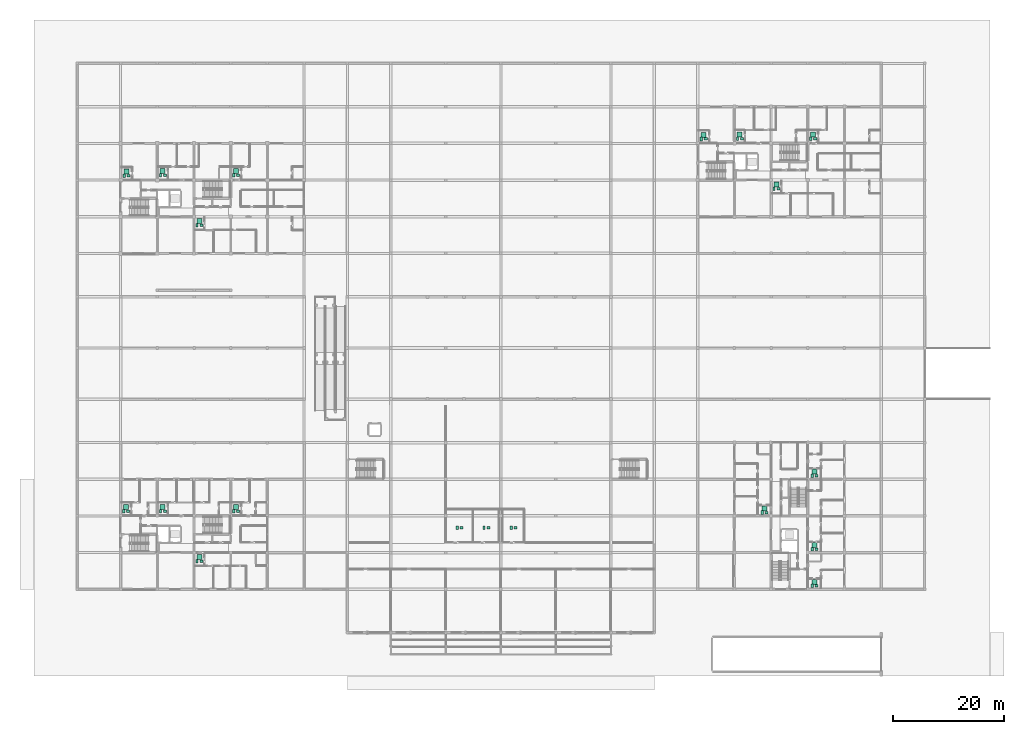
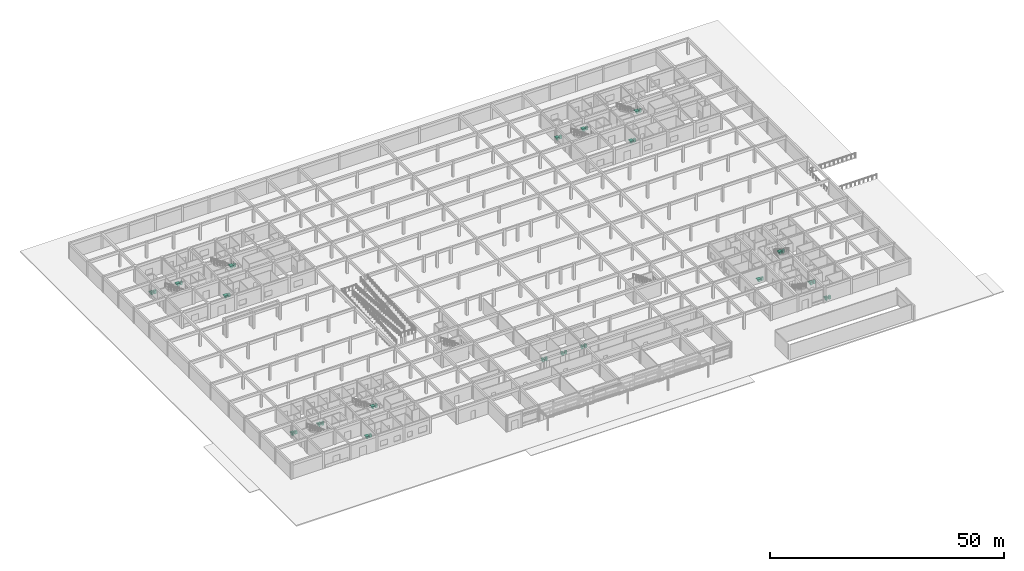
# One storey, part 74 of 75: 54 sanitary terminals.
"""IFC4 building model written with IfcOpenShell, lengths in metres."""

from ifc_helpers import new_model, si_unit, direction, frame, origin, origin_2d, place, context, subcontext, project, spatial, rectangle, extrude, material, type_object, element, save


model = new_model("IFC4")

# Units and contexts
model_context = context("Model", 3, precision=1e-05, world=origin(), true_north=direction((0.0, 1.0)))
body_context = subcontext(model_context, "Body", "Model", "MODEL_VIEW")
ifc_project = project(units=[si_unit("LENGTHUNIT", "METRE"), si_unit("AREAUNIT", "SQUARE_METRE"), si_unit("VOLUMEUNIT", "CUBIC_METRE"), si_unit("PLANEANGLEUNIT", "RADIAN"), si_unit("MASSUNIT", "GRAM", prefix="KILO")], contexts=[model_context])

# Site, building, storey
site_placement = place(None, origin())
site = spatial("IfcSite", under=ifc_project, at=site_placement, CompositionType="ELEMENT")
building_placement = place(site_placement, origin())
building = spatial("IfcBuilding", under=site, at=building_placement, Name="Kernevlak Ridge Housing Community", CompositionType="ELEMENT")
storey_placement = place(building_placement, origin())
storey = spatial("IfcBuildingStorey", under=building, at=storey_placement, Name="L00", CompositionType="ELEMENT", Elevation=0.0)

# Sanitary terminals
ifc_material_1 = material(Name="Vitreous china ceramic")
sanitary_terminal_type_1 = type_object("IfcSanitaryTerminalType", Name="SN-BS", PredefinedType="WASHHANDBASIN", material=ifc_material_1)
for number, where, z_axis, x_axis, name in (
    (1, (30.14990234375, 81.050048828125, 0.0), (0.0, 0.0, 1.0), (1.0, 0.0, 0.0), "Washhand basin 1"),
    (2, (17.050048828125, 90.0, 0.0), (0.0, 0.0, 1.0), (1.0, 0.0, 0.0), "Washhand basin 2"),
    (3, (23.550048828125, 90.050048828125, 0.0), (0.0, 0.0, 1.0), (1.0, 0.0, 0.0), "Washhand basin 3"),
    (4, (36.75, 90.050048828125, 0.0), (0.0, 0.0, 1.0), (1.0, 0.0, 0.0), "Washhand basin 4"),
    (5, (133.949951171875, 87.64990234375, 0.0), (0.0, 0.0, 1.0), (1.0, 0.0, 0.0), "Washhand basin 98"),
    (6, (120.85009765625, 96.60009765625, 0.0), (0.0, 0.0, 1.0), (1.0, 0.0, 0.0), "Washhand basin 99"),
    (7, (127.35009765625, 96.64990234375, 0.0), (0.0, 0.0, 1.0), (1.0, 0.0, 0.0), "Washhand basin 100"),
    (8, (140.550048828125, 96.64990234375, 0.0), (0.0, 0.0, 1.0), (1.0, 0.0, 0.0), "Washhand basin 101"),
    (9, (131.800048828125, 29.39990234375, 0.0), (0.0, 0.0, 1.0), (1.0, 0.0, 0.0), "Washhand basin 180"),
    (10, (140.800048828125, 16.199951171875, 0.0), (0.0, 0.0, 1.0), (1.0, 0.0, 0.0), "Washhand basin 181"),
    (11, (140.800048828125, 22.800048828125, 0.0), (0.0, 0.0, 1.0), (1.0, 0.0, 0.0), "Washhand basin 182"),
    (12, (140.800048828125, 36.0, 0.0), (0.0, 0.0, 1.0), (1.0, 0.0, 0.0), "Washhand basin 183"),
    (13, (30.14990234375, 20.64990234375, 0.0), (0.0, 0.0, 1.0), (1.0, 0.0, 0.0), "Washhand basin 245"),
    (14, (16.949951171875, 29.64990234375, 0.0), (0.0, 0.0, 1.0), (1.0, 0.0, 0.0), "Washhand basin 246"),
    (15, (23.550048828125, 29.64990234375, 0.0), (0.0, 0.0, 1.0), (1.0, 0.0, 0.0), "Washhand basin 247"),
    (16, (36.75, 29.64990234375, 0.0), (0.0, 0.0, 1.0), (1.0, 0.0, 0.0), "Washhand basin 248"),
    (17, (76.949951171875, 26.64990234375, 0.0), (0.0, 0.0, 1.0), (1.0, 0.0, 0.0), "Washhand basin 295"),
    (18, (81.75, 26.64990234375, 0.0), (0.0, 0.0, 1.0), (1.0, 0.0, 0.0), "Washhand basin 296"),
    (19, (86.64990234375, 26.64990234375, 0.0), (0.0, 0.0, 1.0), (1.0, 0.0, 0.0), "Washhand basin 297"),
):
    element("IfcSanitaryTerminal", number, at=place(storey_placement, frame(where, z_axis=z_axis, x_axis=x_axis)), inside=storey, type_object=sanitary_terminal_type_1, Name=name, PredefinedType="WASHHANDBASIN", context=body_context, shape_type="SweptSolid", body=[
        extrude(rectangle(XDim=0.550048828125, YDim=0.449951171875, at=origin_2d()), origin(), (0.0, 0.0, 1.0), 0.820068359375),
    ])
ifc_material_2 = material(Name="Glazed porcelain ceramic")
sanitary_terminal_type_2 = type_object("IfcSanitaryTerminalType", Name="SN-SH", PredefinedType="SHOWER", material=ifc_material_2)
for number, where, z_axis, x_axis, name in (
    (20, (29.75, 81.800048828125, 0.0), (0.0, 0.0, 1.0), (1.0, 0.0, 0.0), "Shower tray 1"),
    (21, (16.64990234375, 90.75, 0.0), (0.0, 0.0, 1.0), (1.0, 0.0, 0.0), "Shower tray 2"),
    (22, (23.14990234375, 90.800048828125, 0.0), (0.0, 0.0, 1.0), (1.0, 0.0, 0.0), "Shower tray 3"),
    (23, (36.35009765625, 90.800048828125, 0.0), (0.0, 0.0, 1.0), (1.0, 0.0, 0.0), "Shower tray 4"),
    (24, (133.550048828125, 88.39990234375, 0.0), (0.0, 0.0, 1.0), (1.0, 0.0, 0.0), "Shower tray 98"),
    (25, (120.449951171875, 97.35009765625, 0.0), (0.0, 0.0, 1.0), (1.0, 0.0, 0.0), "Shower tray 99"),
    (26, (126.949951171875, 97.39990234375, 0.0), (0.0, 0.0, 1.0), (1.0, 0.0, 0.0), "Shower tray 100"),
    (27, (140.14990234375, 97.39990234375, 0.0), (0.0, 0.0, 1.0), (1.0, 0.0, 0.0), "Shower tray 101"),
    (28, (131.39990234375, 30.14990234375, 0.0), (0.0, 0.0, 1.0), (1.0, 0.0, 0.0), "Shower tray 180"),
    (29, (140.39990234375, 16.949951171875, 0.0), (0.0, 0.0, 1.0), (1.0, 0.0, 0.0), "Shower tray 181"),
    (30, (140.39990234375, 23.550048828125, 0.0), (0.0, 0.0, 1.0), (1.0, 0.0, 0.0), "Shower tray 182"),
    (31, (140.39990234375, 36.75, 0.0), (0.0, 0.0, 1.0), (1.0, 0.0, 0.0), "Shower tray 183"),
    (32, (29.75, 21.39990234375, 0.0), (0.0, 0.0, 1.0), (1.0, 0.0, 0.0), "Shower tray 245"),
    (33, (16.550048828125, 30.39990234375, 0.0), (0.0, 0.0, 1.0), (1.0, 0.0, 0.0), "Shower tray 246"),
    (34, (23.14990234375, 30.39990234375, 0.0), (0.0, 0.0, 1.0), (1.0, 0.0, 0.0), "Shower tray 247"),
    (35, (36.35009765625, 30.39990234375, 0.0), (0.0, 0.0, 1.0), (1.0, 0.0, 0.0), "Shower tray 248"),
):
    element("IfcSanitaryTerminal", number, at=place(storey_placement, frame(where, z_axis=z_axis, x_axis=x_axis)), inside=storey, type_object=sanitary_terminal_type_2, Name=name, PredefinedType="SHOWER", context=body_context, shape_type="SweptSolid", body=[
        extrude(rectangle(XDim=0.89990234375, YDim=0.89990234375, at=origin_2d()), origin(), (0.0, 0.0, 1.0), 0.1201171875),
    ])
sanitary_terminal_type_3 = type_object("IfcSanitaryTerminalType", Name="SN-WC", PredefinedType="TOILETPAN", material=ifc_material_1)
for number, where, z_axis, x_axis, name in (
    (36, (29.35009765625, 81.050048828125, 0.0), (0.0, 0.0, 1.0), (1.0, 0.0, 0.0), "WC pan 1"),
    (37, (16.25, 90.0, 0.0), (0.0, 0.0, 1.0), (1.0, 0.0, 0.0), "WC pan 2"),
    (38, (22.75, 90.050048828125, 0.0), (0.0, 0.0, 1.0), (1.0, 0.0, 0.0), "WC pan 3"),
    (39, (35.949951171875, 90.050048828125, 0.0), (0.0, 0.0, 1.0), (1.0, 0.0, 0.0), "WC pan 4"),
    (40, (133.14990234375, 87.64990234375, 0.0), (0.0, 0.0, 1.0), (1.0, 0.0, 0.0), "WC pan 98"),
    (41, (120.050048828125, 96.60009765625, 0.0), (0.0, 0.0, 1.0), (1.0, 0.0, 0.0), "WC pan 99"),
    (42, (126.550048828125, 96.64990234375, 0.0), (0.0, 0.0, 1.0), (1.0, 0.0, 0.0), "WC pan 100"),
    (43, (139.75, 96.64990234375, 0.0), (0.0, 0.0, 1.0), (1.0, 0.0, 0.0), "WC pan 101"),
    (44, (131.0, 29.39990234375, 0.0), (0.0, 0.0, 1.0), (1.0, 0.0, 0.0), "WC pan 180"),
    (45, (140.0, 16.199951171875, 0.0), (0.0, 0.0, 1.0), (1.0, 0.0, 0.0), "WC pan 181"),
    (46, (140.0, 22.800048828125, 0.0), (0.0, 0.0, 1.0), (1.0, 0.0, 0.0), "WC pan 182"),
    (47, (140.0, 36.0, 0.0), (0.0, 0.0, 1.0), (1.0, 0.0, 0.0), "WC pan 183"),
    (48, (29.35009765625, 20.64990234375, 0.0), (0.0, 0.0, 1.0), (1.0, 0.0, 0.0), "WC pan 245"),
    (49, (16.14990234375, 29.64990234375, 0.0), (0.0, 0.0, 1.0), (1.0, 0.0, 0.0), "WC pan 246"),
    (50, (22.75, 29.64990234375, 0.0), (0.0, 0.0, 1.0), (1.0, 0.0, 0.0), "WC pan 247"),
    (51, (35.949951171875, 29.64990234375, 0.0), (0.0, 0.0, 1.0), (1.0, 0.0, 0.0), "WC pan 248"),
    (52, (76.14990234375, 26.64990234375, 0.0), (0.0, 0.0, 1.0), (1.0, 0.0, 0.0), "WC pan 295"),
    (53, (80.949951171875, 26.64990234375, 0.0), (0.0, 0.0, 1.0), (1.0, 0.0, 0.0), "WC pan 296"),
    (54, (85.85009765625, 26.64990234375, 0.0), (0.0, 0.0, 1.0), (1.0, 0.0, 0.0), "WC pan 297"),
):
    element("IfcSanitaryTerminal", number, at=place(storey_placement, frame(where, z_axis=z_axis, x_axis=x_axis)), inside=storey, type_object=sanitary_terminal_type_3, Name=name, PredefinedType="TOILETPAN", context=body_context, shape_type="SweptSolid", body=[
        extrude(rectangle(XDim=0.39990234375, YDim=0.64990234375, at=origin_2d()), origin(), (0.0, 0.0, 1.0), 0.780029296875),
    ])

save(model, "model.ifc")
